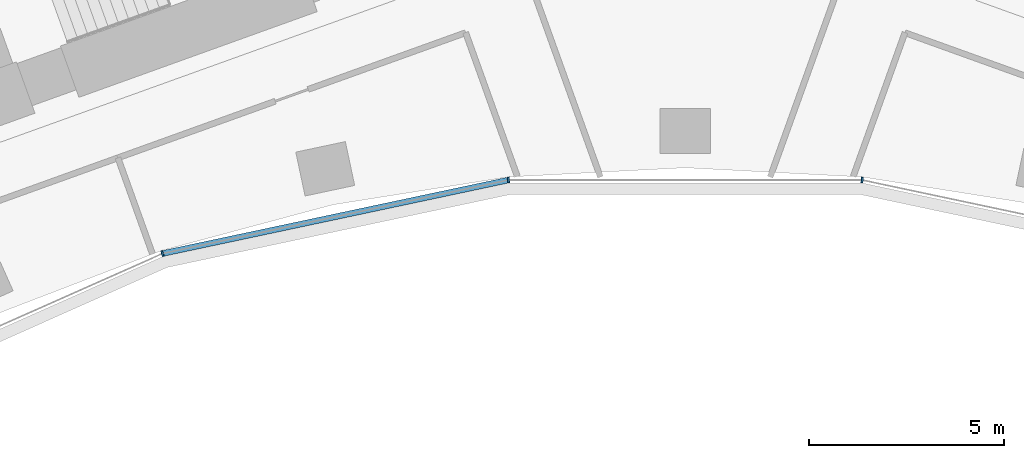
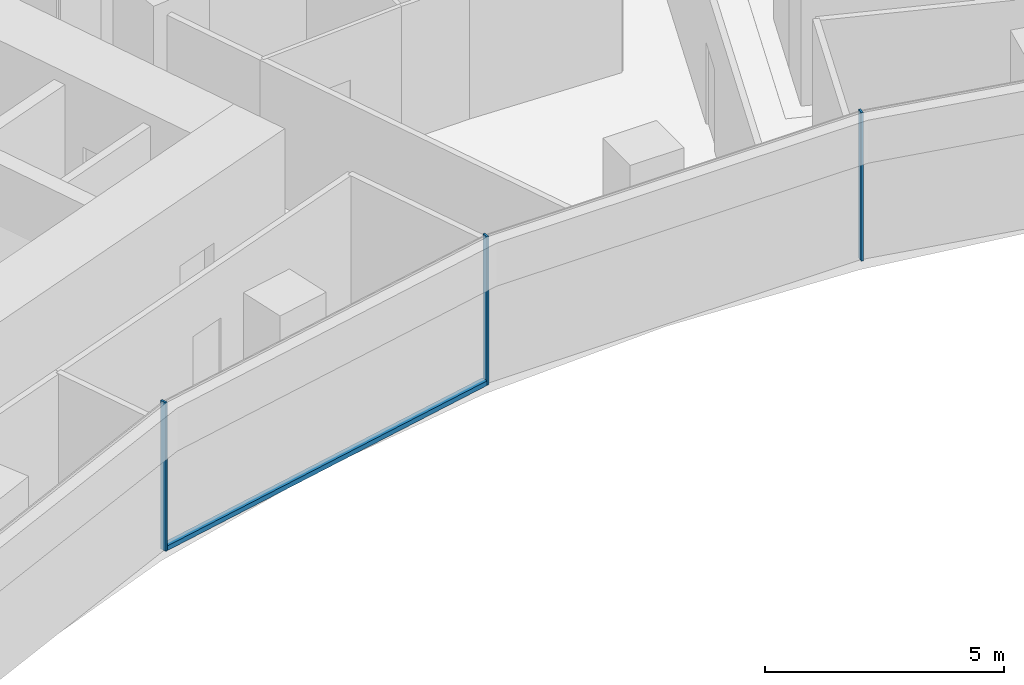
# One storey, part 4 of 21: 4 members, 1 element without a shape of its own.
"""IFC4 building model written with IfcOpenShell, lengths in metres."""

from ifc_helpers import new_model, si_unit, direction, frame, origin, origin_2d, place, context, subcontext, project, spatial, rectangle, extrude, material, layer, layer_set, material_profile, profile_set, type_object, element, aggregate, save


model = new_model("IFC4")

# Units and contexts
model_context = context("Model", 3, precision=1e-05, world=origin(), true_north=direction((0.0, 1.0)))
body_context = subcontext(model_context, "Body", "Model", "MODEL_VIEW")
ifc_project = project(units=[si_unit("LENGTHUNIT", "METRE"), si_unit("AREAUNIT", "SQUARE_METRE"), si_unit("VOLUMEUNIT", "CUBIC_METRE"), si_unit("PLANEANGLEUNIT", "RADIAN"), si_unit("MASSUNIT", "GRAM", prefix="KILO")], contexts=[model_context])

# Site, building, storey
site_placement = place(None, origin())
site = spatial("IfcSite", under=ifc_project, at=site_placement, CompositionType="ELEMENT")
building_placement = place(site_placement, origin())
building = spatial("IfcBuilding", under=site, at=building_placement, Name="Stone Belt Terrace Tower", CompositionType="ELEMENT")
storey_placement = place(building_placement, frame((0.0, 0.0, 87.0)))
storey = spatial("IfcBuildingStorey", under=building, at=storey_placement, Name="L20", CompositionType="ELEMENT", Elevation=87.0)

# Curtain wall, members
ifc_material = material(Name="Aluminium 6063-T6 anodised frame", Category="aluminium")
ifc_layer = layer(ifc_material, 0.14990234375)
ifc_layer_set = layer_set([ifc_layer], Name="CW-B unitised concave-face curtain wall")
curtain_wall_type = type_object("IfcCurtainWallType", Name="CW-B unitised concave-face curtain wall", PredefinedType="NOTDEFINED", material=ifc_layer_set)
curtain_wall_placement = place(storey_placement, origin())
curtain_wall = element("IfcCurtainWall", 1, at=curtain_wall_placement, inside=storey, type_object=curtain_wall_type, Name="CW-B concave face L20", PredefinedType="NOTDEFINED")
ifc_material_profile_1 = material_profile(ifc_material, rectangle(XDim=0.14990234375, YDim=0.050048828125, at=origin_2d()), Name="Aluminium 6063-T6 50x150")
ifc_profile_set_1 = profile_set([ifc_material_profile_1], Name="Aluminium 6063-T6 anodised frame")
member_type_1 = type_object("IfcMemberType", Name="CW-B mullion 50 x 150", PredefinedType="MULLION", material=ifc_profile_set_1)
member_1_placement = place(storey_placement, frame((-13.4189453125, 41.29931640625, 0.0), z_axis=(0.0, 0.0, 1.0), x_axis=(-0.309016994375, 0.951056516295, 0.0)))
member_1 = element("IfcMember", 2, at=member_1_placement, type_object=member_type_1, Name="CW-B mullion 4", PredefinedType="MULLION", context=body_context, shape_type="SweptSolid", body=[
    extrude(rectangle(XDim=0.14990234375, YDim=0.050048828125, at=origin_2d()), origin(), (0.0, 0.0, 1.0), 3.800048828125),
])
member_2_placement = place(storey_placement, frame((-4.5390625, 43.186767578125, 0.0), z_axis=(0.0, 0.0, 1.0), x_axis=(-0.104528463268, 0.994521895368, 0.0)))
member_2 = element("IfcMember", 3, at=member_2_placement, type_object=member_type_1, Name="CW-B mullion 5", PredefinedType="MULLION", context=body_context, shape_type="SweptSolid", body=[
    extrude(rectangle(XDim=0.14990234375, YDim=0.050048828125, at=origin_2d()), origin(), (0.0, 0.0, 1.0), 3.800048828125),
])
member_3_placement = place(storey_placement, frame((4.5390625, 43.186767578125, 0.0), z_axis=(0.0, 0.0, 1.0), x_axis=(0.104528463268, 0.994521895368, 0.0)))
member_3 = element("IfcMember", 4, at=member_3_placement, type_object=member_type_1, Name="CW-B mullion 6", PredefinedType="MULLION", context=body_context, shape_type="SweptSolid", body=[
    extrude(rectangle(XDim=0.14990234375, YDim=0.050048828125, at=origin_2d()), origin(), (0.0, 0.0, 1.0), 3.800048828125),
])
ifc_material_profile_2 = material_profile(ifc_material, rectangle(XDim=0.14990234375, YDim=0.1201171875, at=origin_2d()), Name="Aluminium 6063-T6 150x120")
ifc_profile_set_2 = profile_set([ifc_material_profile_2], Name="Aluminium 6063-T6 anodised frame")
member_type_2 = type_object("IfcMemberType", Name="CW-B transom 120 x 150", PredefinedType="USERDEFINED", material=ifc_profile_set_2)
member_4_placement = place(storey_placement, frame((-13.386962890625, 41.30615234375, 0.06005859375), z_axis=(0.9781499003, 0.207900871914, 0.0), x_axis=(-0.207900871914, 0.9781499003, 0.0)))
member_4 = element("IfcMember", 5, at=member_4_placement, type_object=member_type_2, Name="CW-B transom 4.1", ObjectType="TRANSOM", PredefinedType="USERDEFINED", context=body_context, shape_type="SweptSolid", body=[
    extrude(rectangle(XDim=0.14990234375, YDim=0.1201171875, at=origin_2d()), origin(), (0.0, 0.0, 1.0), 9.012939453125),
])
aggregate(curtain_wall, [member_1, member_2, member_3, member_4])

save(model, "model.ifc")
